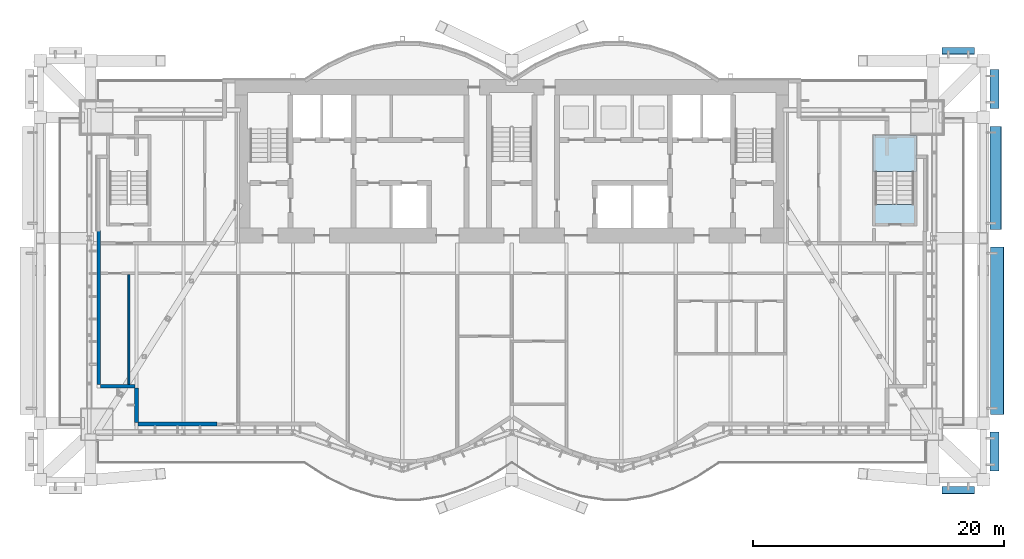
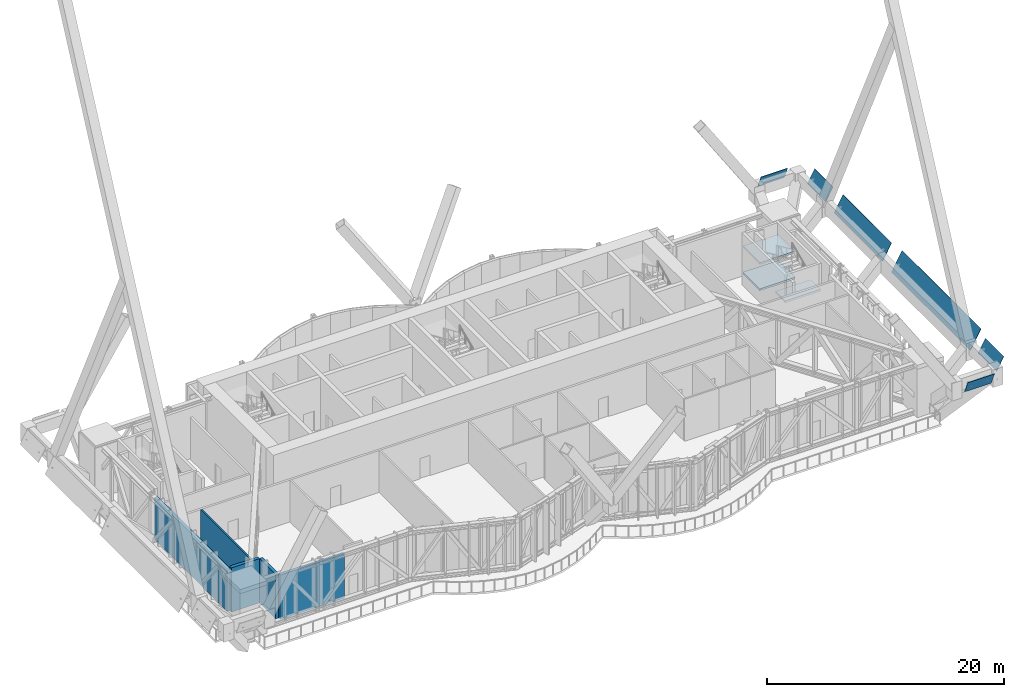
# One storey, part 22 of 31: 6 plates, 5 walls, 3 slabs, 1 element without a shape of its own.
"""IFC4 building model written with IfcOpenShell, lengths in metres."""

from ifc_helpers import new_model, si_unit, direction, frame, frame_2d, origin, place, context, subcontext, project, spatial, polyline, rectangle, outline, extrude, material, layer, layer_set, layer_usage, type_object, element, aggregate, save


model = new_model("IFC4")

# Units and contexts
model_context = context("Model", 3, precision=1e-05, world=origin(), true_north=direction((0.0, 1.0)))
body_context = subcontext(model_context, "Body", "Model", "MODEL_VIEW")
ifc_project = project(units=[si_unit("LENGTHUNIT", "METRE"), si_unit("AREAUNIT", "SQUARE_METRE"), si_unit("VOLUMEUNIT", "CUBIC_METRE"), si_unit("PLANEANGLEUNIT", "RADIAN"), si_unit("MASSUNIT", "GRAM", prefix="KILO")], contexts=[model_context])

# Site, building, storey
site_placement = place(None, origin())
site = spatial("IfcSite", under=ifc_project, at=site_placement, CompositionType="ELEMENT")
building_placement = place(site_placement, origin())
building = spatial("IfcBuilding", under=site, at=building_placement, Name="Bicima Exchange Tower", CompositionType="ELEMENT")
storey_placement = place(building_placement, frame((0.0, 0.0, 236.0)))
storey = spatial("IfcBuildingStorey", under=building, at=storey_placement, Name="L53", CompositionType="ELEMENT", Elevation=236.0)

# Plates
ifc_material_1 = material(Name="Dark tinted spandrel glass", Category="glass")
ifc_layer_1 = layer(ifc_material_1, 0.0400390625)
ifc_layer_set_1 = layer_set([ifc_layer_1], Name="Dark tinted spandrel glass")
plate_type = type_object("IfcPlateType", Name="Belt fascia glass panel 40", PredefinedType="SHEET", material=ifc_layer_set_1)
plate_1_placement = place(storey_placement, frame((34.199951171875, -32.358642578125, 4.050048828125), z_axis=(0.0, 0.919715682457, 0.39258510344), x_axis=(1.0, 0.0, 0.0)))
element("IfcPlate", 1, at=plate_1_placement, inside=storey, type_object=plate_type, Name="Belt fascia glass panel", PredefinedType="SHEET", context=body_context, shape_type="SweptSolid", body=[
    extrude(outline(polyline([(0.0, 0.0), (2.60009765625, 0.0), (2.60009765625, -1.3917663048388182), (0.0, -1.3917663048388182), (0.0, 0.0)])), origin(), (0.0, 0.0, -1.0), 0.0400390625),
])
plate_2_placement = place(storey_placement, frame((38.030029296875, -31.128662109375, 4.050048828125), z_axis=(-0.876685030348, 0.0, 0.481064816386), x_axis=(0.0, 1.0, 0.0)))
element("IfcPlate", 2, at=plate_2_placement, inside=storey, type_object=plate_type, Name="Belt fascia glass panel", PredefinedType="SHEET", context=body_context, shape_type="SweptSolid", body=[
    extrude(outline(polyline([(0.0, 0.0), (3.099853515625, 0.0), (3.099853515625, -1.460078879603219), (0.0, -1.460078879603219), (0.0, 0.0)])), origin(), (0.0, 0.0, -1.0), 0.0400390625),
])
plate_3_placement = place(storey_placement, frame((38.080078125, -26.628662109375, 3.449951171875), z_axis=(-0.876674581874, 0.0, 0.481083857031), x_axis=(0.0, 1.0, 0.0)))
element("IfcPlate", 3, at=plate_3_placement, inside=storey, type_object=plate_type, Name="Belt fascia glass panel", PredefinedType="SHEET", context=body_context, shape_type="SweptSolid", body=[
    extrude(outline(polyline([(0.0, 0.0), (13.32861328125, 0.0), (13.32861328125, -2.1446121422914217), (0.0, -2.1446121422914217), (0.0, 0.0)])), origin(), (0.0, 0.0, -1.0), 0.0400390625),
])
plate_4_placement = place(storey_placement, frame((38.030029296875, -11.89990234375, 3.75), z_axis=(-0.876650248979, 0.0, 0.481128195978), x_axis=(0.0, 1.0, 0.0)))
element("IfcPlate", 4, at=plate_4_placement, inside=storey, type_object=plate_type, Name="Belt fascia glass panel", PredefinedType="SHEET", context=body_context, shape_type="SweptSolid", body=[
    extrude(outline(polyline([(0.0, 0.0), (8.199951171875, 0.0), (8.199951171875, -1.8024042391372048), (0.0, -1.8024042391372048), (0.0, 0.0)])), origin(), (0.0, 0.0, -1.0), 0.0400390625),
])
plate_5_placement = place(storey_placement, frame((38.030029296875, -2.300048828125, 4.050048828125), z_axis=(-0.876685030348, 0.0, 0.481064816386), x_axis=(0.0, 1.0, 0.0)))
element("IfcPlate", 5, at=plate_5_placement, inside=storey, type_object=plate_type, Name="Belt fascia glass panel", PredefinedType="SHEET", context=body_context, shape_type="SweptSolid", body=[
    extrude(outline(polyline([(0.0, 0.0), (3.10009765625, 0.0), (3.10009765625, -1.4600788796032191), (0.0, -1.4600788796032191), (0.0, 0.0)])), origin(), (0.0, 0.0, -1.0), 0.0400390625),
])
plate_6_placement = place(storey_placement, frame((36.800048828125, 2.576416015625, 4.050048828125), z_axis=(0.0, 0.919715682457, 0.39258510344), x_axis=(-1.0, 0.0, 0.0)))
element("IfcPlate", 6, at=plate_6_placement, inside=storey, type_object=plate_type, Name="Belt fascia glass panel", PredefinedType="SHEET", context=body_context, shape_type="SweptSolid", body=[
    extrude(outline(polyline([(0.0, 0.0), (2.60009765625, 0.0), (2.60009765625, 1.3917663048388182), (0.0, 1.3917663048388182), (0.0, 0.0)])), origin(), (0.0, 0.0, -1.0), 0.0400390625),
])

# Stair, slabs
ifc_material_2 = material(Name="Concrete C50/60", Category="concrete")
stair_type = type_object("IfcStairType", Name="Exit stair", PredefinedType="HALF_TURN_STAIR", material=ifc_material_2)
stair_placement = place(storey_placement, origin())
stair = element("IfcStair", 7, at=stair_placement, inside=storey, type_object=stair_type, Name="L53 East end exit stair", PredefinedType="HALF_TURN_STAIR")
ifc_layer_2 = layer(ifc_material_2, 0.199951171875)
ifc_layer_set_2 = layer_set([ifc_layer_2], Name="Concrete C50/60")
slab_type = type_object("IfcSlabType", Name="Stair landing slab", PredefinedType="LANDING", material=ifc_layer_set_2)
slab_1_placement = place(storey_placement, frame((0.0, 0.0, 1.14990234375)))
slab_1 = element("IfcSlab", 8, at=slab_1_placement, type_object=slab_type, Name="ST-EE landing 1", PredefinedType="LANDING", context=body_context, shape_type="SweptSolid", body=[
    extrude(outline(polyline([(32.175048828125, -7.294921875), (32.175048828125, -4.425048828125), (28.72509765625, -4.425048828125), (28.72509765625, -7.294921875), (32.175048828125, -7.294921875)])), origin(), (0.0, 0.0, 1.0), 0.2001953125),
])
slab_2_placement = place(storey_placement, frame((0.0, 0.0, 2.5)))
slab_2 = element("IfcSlab", 9, at=slab_2_placement, type_object=slab_type, Name="ST-EE landing 2", PredefinedType="LANDING", context=body_context, shape_type="SweptSolid", body=[
    extrude(outline(polyline([(32.175048828125, -11.574951171875), (32.175048828125, -9.925048828125), (28.72509765625, -9.925048828125), (28.72509765625, -11.574951171875), (32.175048828125, -11.574951171875)])), origin(), (0.0, 0.0, 1.0), 0.199951171875),
])
slab_3_placement = place(storey_placement, frame((0.0, 0.0, 3.85009765625)))
slab_3 = element("IfcSlab", 10, at=slab_3_placement, type_object=slab_type, Name="ST-EE landing 3", PredefinedType="LANDING", context=body_context, shape_type="SweptSolid", body=[
    extrude(outline(polyline([(32.175048828125, -7.294921875), (32.175048828125, -4.425048828125), (28.72509765625, -4.425048828125), (28.72509765625, -7.294921875), (32.175048828125, -7.294921875)])), origin(), (0.0, 0.0, 1.0), 0.199951171875),
])
aggregate(stair, [slab_1, slab_2, slab_3])

# Walls
ifc_material_3 = material(Name="Gypsum board partition")
ifc_layer_3 = layer(ifc_material_3, 0.14990234375)
ifc_layer_set_3 = layer_set([ifc_layer_3], Name="Gypsum board partition")
wall_type_1 = type_object("IfcWallType", Name="Gypsum partition 150", PredefinedType="PARTITIONING", material=ifc_layer_set_3)
wall_1_placement = place(storey_placement, frame((-30.449951171875, -24.22998046875, 0.0), z_axis=(0.0, 0.0, 1.0), x_axis=(0.0, 1.0, 0.0)))
element("IfcWall", 11, at=wall_1_placement, inside=storey, type_object=wall_type_1, Name="partition wall 16", PredefinedType="PARTITIONING", context=body_context, shape_type="SweptSolid", body=[
    extrude(rectangle(XDim=8.72998046875, YDim=0.14990234375, at=frame_2d((4.364990234375, 0.0))), origin(), (0.0, 0.0, 1.0), 4.318115234375),
])
ifc_material_4 = material(Name="Concrete C40/50", Category="concrete")
ifc_layer_4 = layer(ifc_material_4, 0.3)
ifc_layer_set_4 = layer_set([ifc_layer_4], Name="Concrete C40/50")
ifc_layer_usage = layer_usage(ifc_layer_set_4, "AXIS2", "POSITIVE", -0.15)
wall_type_2 = type_object("IfcWallType", Name="Refuge band wall 300", PredefinedType="STANDARD", material=ifc_layer_set_4)
wall_2_placement = place(storey_placement, frame((-32.85009765625, -12.0, 0.0), z_axis=(0.0, 0.0, 1.0), x_axis=(0.0, -1.0, 0.0)))
element("IfcWall", 12, at=wall_2_placement, inside=storey, type_object=wall_type_2, material=ifc_layer_usage, Name="Refuge band wall L53", PredefinedType="STANDARD", context=body_context, shape_type="SweptSolid", body=[
    extrude(rectangle(XDim=12.256103515625, YDim=0.300048828125, at=frame_2d((6.1279296875, 0.0))), origin(), (0.0, 0.0, 1.0), 4.338134765625),
])
for number, where, z_axis, x_axis, name in (
    (13, (-32.72412109375, -24.382080078125, 0.0), (0.0, 0.0, 1.0), (1.0, 0.0, 0.0), "Refuge band wall L53"),
    (14, (-29.85009765625, -24.5078125, 0.0), (0.0, 0.0, 1.0), (0.0, -1.0, 0.0), "Refuge band wall L53"),
):
    element("IfcWall", number, at=place(storey_placement, frame(where, z_axis=z_axis, x_axis=x_axis)), inside=storey, type_object=wall_type_2, material=ifc_layer_usage, Name=name, PredefinedType="STANDARD", context=body_context, shape_type="SweptSolid", body=[
        extrude(rectangle(XDim=2.748291015625, YDim=0.300048828125, at=frame_2d((1.3740234375, 0.0))), origin(), (0.0, 0.0, 1.0), 4.57177734375),
    ])
wall_3_placement = place(storey_placement, frame((-29.72412109375, -27.382080078125, 0.0), z_axis=(0.0, 0.0, 1.0), x_axis=(1.0, 0.0, 0.0)))
element("IfcWall", 15, at=wall_3_placement, inside=storey, type_object=wall_type_2, material=ifc_layer_usage, Name="Refuge band wall L53", PredefinedType="STANDARD", context=body_context, shape_type="SweptSolid", body=[
    extrude(rectangle(XDim=6.274169921875, YDim=0.300048828125, at=frame_2d((3.13720703125, 0.0))), origin(), (0.0, 0.0, 1.0), 4.57177734375),
])

save(model, "model.ifc")
